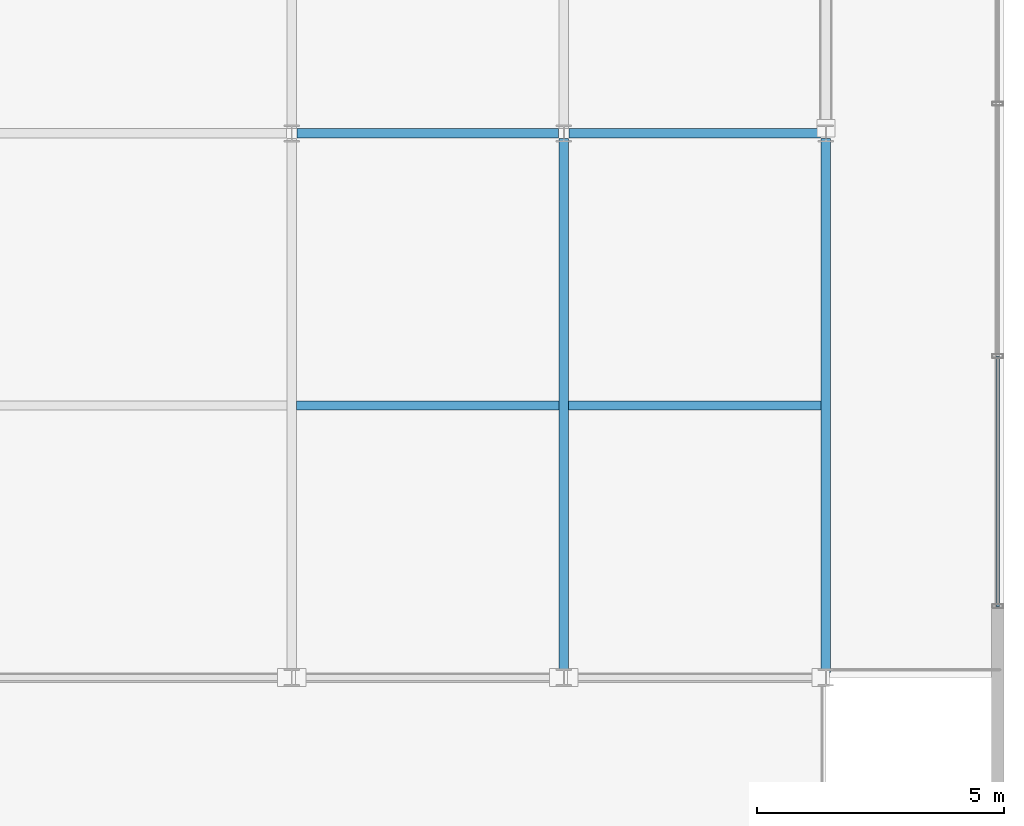
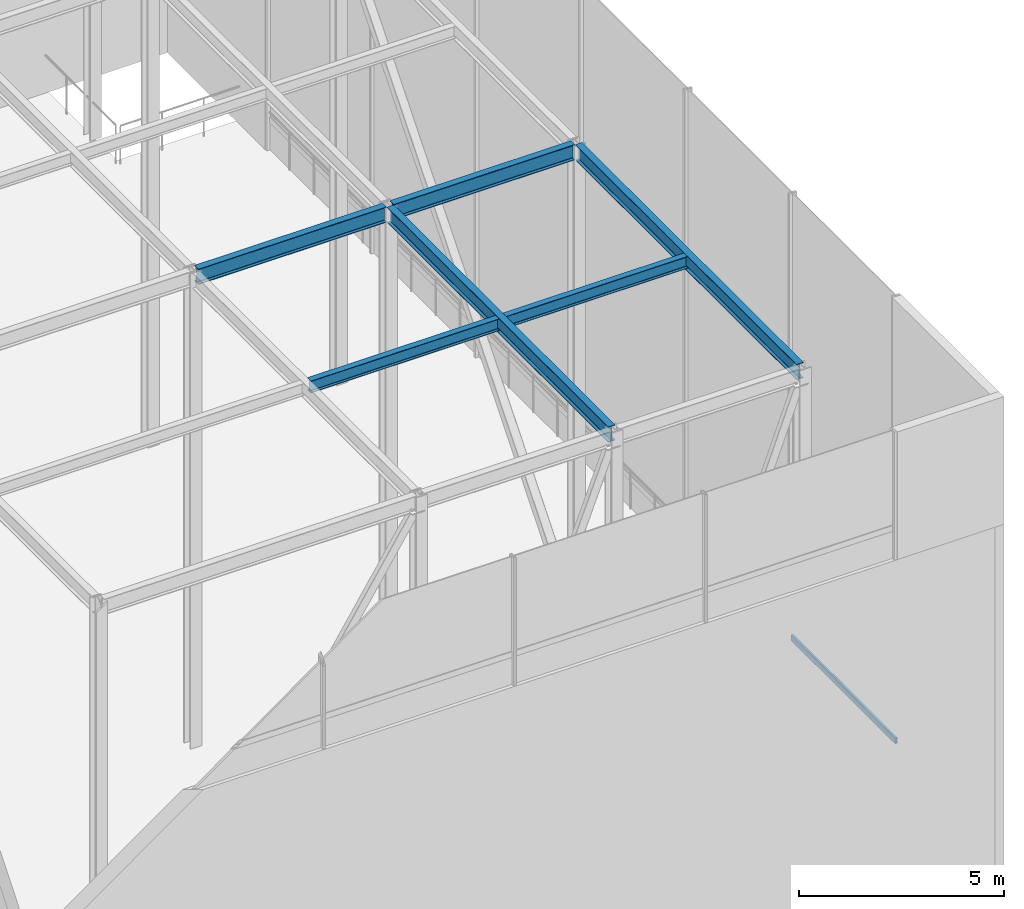
# One storey, part 22 of 42: 6 beams, 1 member, 1 element without a shape of its own.
"""IFC4 building model written with IfcOpenShell, lengths in metres."""

from ifc_helpers import new_model, si_unit, direction, frame, origin, origin_2d, place, context, subcontext, project, spatial, hollow_rectangle, i_section, extrude, material, layer, layer_set, material_profile, profile_set, type_object, element, aggregate, save


model = new_model("IFC4")

# Units and contexts
model_context = context("Model", 3, precision=1e-05, world=origin(), true_north=direction((0.0, 1.0)))
body_context = subcontext(model_context, "Body", "Model", "MODEL_VIEW")
ifc_project = project(units=[si_unit("LENGTHUNIT", "METRE"), si_unit("AREAUNIT", "SQUARE_METRE"), si_unit("VOLUMEUNIT", "CUBIC_METRE"), si_unit("PLANEANGLEUNIT", "RADIAN"), si_unit("MASSUNIT", "GRAM", prefix="KILO")], contexts=[model_context])

# Site, building, storey
site_placement = place(None, origin())
site = spatial("IfcSite", under=ifc_project, at=site_placement, CompositionType="ELEMENT")
building_placement = place(site_placement, origin())
building = spatial("IfcBuilding", under=site, at=building_placement, Name="Korimba Cascade Residences", CompositionType="ELEMENT")
storey_placement = place(building_placement, frame((0.0, 0.0, 207.60009765625)))
storey = spatial("IfcBuildingStorey", under=building, at=storey_placement, Name="L60", CompositionType="ELEMENT", Elevation=207.60009765625)

# Beams
ifc_material_1 = material(Name="Steel S355", Category="steel")
ifc_material_profile_1 = material_profile(ifc_material_1, i_section(OverallWidth=0.172119140625, OverallDepth=0.35791015625, WebThickness=0.008056640625, FlangeThickness=0.012939453125, FilletRadius=0.01025390625, at=origin_2d()), Name="Steel S355")
ifc_profile_set_1 = profile_set([ifc_material_profile_1], Name="Steel S355")
beam_type_1 = type_object("IfcBeamType", Name="BM-STL-UB356", PredefinedType="JOIST", material=ifc_profile_set_1)
beam_1_placement = place(storey_placement, frame((118.199951171875, 1.300048828125, 13.970947265625), z_axis=(1.0, 0.0, 0.0), x_axis=(0.0, 1.0, 0.0)))
element("IfcBeam", 1, at=beam_1_placement, inside=storey, type_object=beam_type_1, Name="L60 Crown Cap Joist E1.2", PredefinedType="JOIST", context=body_context, shape_type="SweptSolid", body=[
    extrude(i_section(OverallWidth=0.172119140625, OverallDepth=0.35791015625, WebThickness=0.008056640625, FlangeThickness=0.012939453125, FilletRadius=0.01025390625, at=origin_2d()), origin(), (0.0, 0.0, 1.0), 5.300048828125),
])
beam_2_placement = place(storey_placement, frame((123.699951171875, 1.300048828125, 13.970947265625), z_axis=(1.0, 0.0, 0.0), x_axis=(0.0, 1.0, 0.0)))
element("IfcBeam", 2, at=beam_2_placement, inside=storey, type_object=beam_type_1, Name="L60 Crown Cap Joist E1.3", PredefinedType="JOIST", context=body_context, shape_type="SweptSolid", body=[
    extrude(i_section(OverallWidth=0.172119140625, OverallDepth=0.35791015625, WebThickness=0.008056640625, FlangeThickness=0.012939453125, FilletRadius=0.01025390625, at=origin_2d()), origin(), (0.0, 0.0, 1.0), 5.10009765625),
])
ifc_material_profile_2 = material_profile(ifc_material_1, i_section(OverallWidth=0.19140625, OverallDepth=0.4599609375, WebThickness=0.010009765625, FlangeThickness=0.01611328125, FilletRadius=0.01025390625, at=origin_2d()), Name="Steel S355")
ifc_profile_set_2 = profile_set([ifc_material_profile_2], Name="Steel S355")
beam_type_2 = type_object("IfcBeamType", Name="BM-STL-UB457", PredefinedType="JOIST", material=ifc_profile_set_2)
beam_3_placement = place(storey_placement, frame((118.205078125, 6.800048828125, 13.919921875), z_axis=(1.0, 0.0, 0.0), x_axis=(0.0, 1.0, 0.0)))
element("IfcBeam", 3, at=beam_3_placement, inside=storey, type_object=beam_type_2, Name="L60 Crown Cap Ring Beam E2.2", PredefinedType="JOIST", context=body_context, shape_type="SweptSolid", body=[
    extrude(i_section(OverallWidth=0.19140625, OverallDepth=0.4599609375, WebThickness=0.010009765625, FlangeThickness=0.01611328125, FilletRadius=0.01025390625, at=origin_2d()), origin(), (0.0, 0.0, 1.0), 5.2900390625),
])
beam_4_placement = place(storey_placement, frame((123.705078125, 6.800048828125, 13.919921875), z_axis=(1.0, 0.0, 0.0), x_axis=(0.0, 1.0, 0.0)))
element("IfcBeam", 4, at=beam_4_placement, inside=storey, type_object=beam_type_2, Name="L60 Crown Cap Ring Beam E2.3", PredefinedType="JOIST", context=body_context, shape_type="SweptSolid", body=[
    extrude(i_section(OverallWidth=0.19140625, OverallDepth=0.4599609375, WebThickness=0.010009765625, FlangeThickness=0.01611328125, FilletRadius=0.01025390625, at=origin_2d()), origin(), (0.0, 0.0, 1.0), 5.08984375),
])
for number, where, z_axis, x_axis, name in (
    (5, (123.60009765625, -4.094970703125, 13.919921875), (0.0, 1.0, 0.0), (-1.0, 0.0, 0.0), "L60 Crown Cap Tie Beam E3.1"),
    (6, (128.89990234375, -4.094970703125, 13.919921875), (0.0, 1.0, 0.0), (-1.0, 0.0, 0.0), "L60 Crown Cap Tie Beam E4.1"),
):
    element("IfcBeam", number, at=place(storey_placement, frame(where, z_axis=z_axis, x_axis=x_axis)), inside=storey, type_object=beam_type_2, Name=name, PredefinedType="JOIST", context=body_context, shape_type="SweptSolid", body=[
        extrude(i_section(OverallWidth=0.19140625, OverallDepth=0.4599609375, WebThickness=0.010009765625, FlangeThickness=0.01611328125, FilletRadius=0.01025390625, at=origin_2d()), origin(), (0.0, 0.0, 1.0), 10.7900390625),
    ])

# Curtain wall, member
ifc_material_2 = material(Name="Anodised Aluminium Curtain Wall Framing", Category="aluminium")
ifc_layer = layer(ifc_material_2, 0.179931640625)
ifc_layer_set = layer_set([ifc_layer], Name="Anodised Aluminium Curtain Wall Framing")
curtain_wall_type = type_object("IfcCurtainWallType", Name="CW-CRNE-SYS6", PredefinedType="NOTDEFINED", material=ifc_layer_set)
curtain_wall_placement = place(storey_placement, origin())
curtain_wall = element("IfcCurtainWall", 7, at=curtain_wall_placement, inside=storey, type_object=curtain_wall_type, Name="L60 Curtain Wall CW-L60-CRN-E-1", PredefinedType="NOTDEFINED")
ifc_material_3 = material(Name="Anodised Aluminium Transom", Category="aluminium")
ifc_material_profile_3 = material_profile(ifc_material_3, hollow_rectangle(XDim=0.070068359375, YDim=0.179931640625, WallThickness=0.0048828125, InnerFilletRadius=0.0048828125, OuterFilletRadius=0.010009765625, at=origin_2d()), Name="Anodised Aluminium Transom")
ifc_profile_set_3 = profile_set([ifc_material_profile_3], Name="Anodised Aluminium Transom")
member_type = type_object("IfcMemberType", Name="CWM-TRN-150", PredefinedType="USERDEFINED", material=ifc_profile_set_3)
member_placement = place(storey_placement, frame((132.375, -2.760009765625, 0.89990234375), z_axis=(0.0, 1.0, 0.0), x_axis=(-1.0, 0.0, 0.0)))
member = element("IfcMember", 8, at=member_placement, type_object=member_type, Name="CW-L60-CRN-E-1 Transom 1", ObjectType="TRANSOM", PredefinedType="USERDEFINED", context=body_context, shape_type="SweptSolid", body=[
    extrude(hollow_rectangle(XDim=0.070068359375, YDim=0.179931640625, WallThickness=0.0048828125, InnerFilletRadius=0.0048828125, OuterFilletRadius=0.010009765625, at=origin_2d()), origin(), (0.0, 0.0, 1.0), 5.06005859375),
])
aggregate(curtain_wall, [member])

save(model, "model.ifc")
